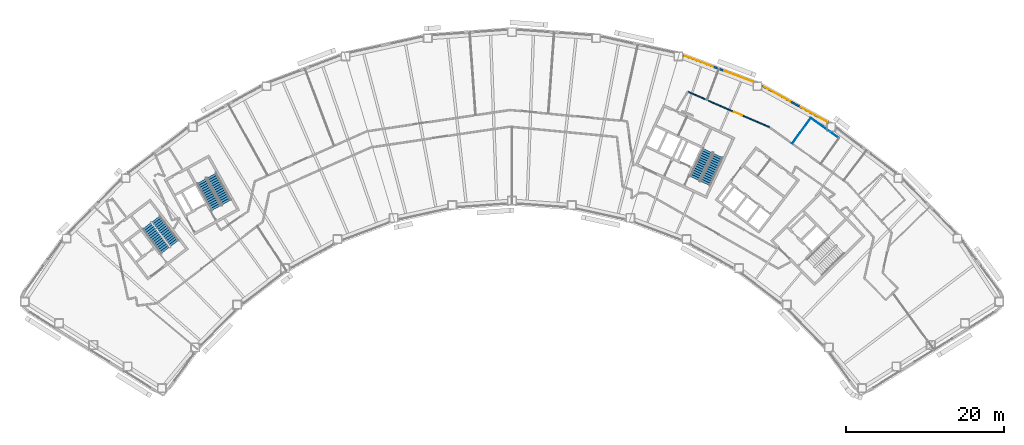
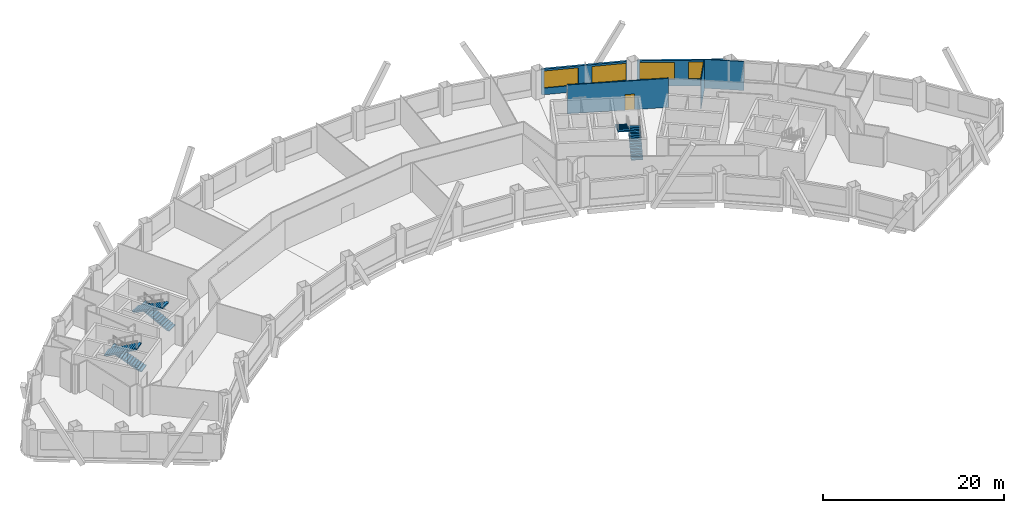
# One storey, part 8 of 11: 6 stair flights, 5 walls, 4 windows, 1 door, 5 openings, 3 elements without a shape of their own.
"""IFC4 building model written with IfcOpenShell, lengths in metres."""

from ifc_helpers import new_model, si_unit, direction, frame, frame_2d, origin, place, context, subcontext, project, spatial, polyline, rectangle, outline, extrude, material, layer, layer_set, type_object, element, fill, aggregate, save


model = new_model("IFC4")

# Units and contexts
model_context = context("Model", 3, precision=1e-05, world=origin(), true_north=direction((0.0, 1.0)))
body_context = subcontext(model_context, "Body", "Model", "MODEL_VIEW")
ifc_project = project(units=[si_unit("LENGTHUNIT", "METRE"), si_unit("AREAUNIT", "SQUARE_METRE"), si_unit("VOLUMEUNIT", "CUBIC_METRE"), si_unit("PLANEANGLEUNIT", "RADIAN"), si_unit("MASSUNIT", "GRAM", prefix="KILO")], contexts=[model_context])

# Site, building, storey
site_placement = place(None, origin())
site = spatial("IfcSite", under=ifc_project, at=site_placement, CompositionType="ELEMENT")
building_placement = place(site_placement, origin())
building = spatial("IfcBuilding", under=site, at=building_placement, Name="Tuul Gate Civic Tower", CompositionType="ELEMENT")
storey_placement = place(building_placement, frame((0.0, 0.0, 107.699951171875)))
storey = spatial("IfcBuildingStorey", under=building, at=storey_placement, Name="Level 24", CompositionType="ELEMENT", Elevation=107.699951171875)

# Wall, opening, door
ifc_material_1 = material(Name="Gypsum board partition")
ifc_layer_1 = layer(ifc_material_1, 0.14990234375)
ifc_layer_set_1 = layer_set([ifc_layer_1], Name="Gypsum board partition")
wall_type_1 = type_object("IfcWallType", Name="Corridor wall P150", PredefinedType="PARTITIONING", material=ifc_layer_set_1)
wall_1_placement = place(storey_placement, frame((32.088134765625, 6.127197265625, 0.0), z_axis=(0.0, 0.0, 1.0), x_axis=(0.916937971515, -0.399029768807, 0.0)))
wall_1 = element("IfcWall", 1, at=wall_1_placement, inside=storey, type_object=wall_type_1, Name="p015", PredefinedType="PARTITIONING", context=body_context, shape_type="SweptSolid", body=[
    extrude(rectangle(XDim=11.229736328125, YDim=0.14990234375, at=frame_2d((5.61474609375, 0.0))), origin(), (0.0, 0.0, 1.0), 3.900146484375),
])
opening_1_placement = place(wall_1_placement, frame((6.373291015625, 0.0, 0.0)))
opening_1 = element("IfcOpeningElement", 2, at=opening_1_placement, cuts=wall_1, Name="Opening H-D16", PredefinedType="OPENING", context=body_context, shape_type="SweptSolid", body=[
    extrude(rectangle(XDim=1.10009765625, YDim=2.10009765625, at=frame_2d((0.550048828125, 1.050048828125))), frame((0.0, 0.0849609375, 0.0), z_axis=(0.0, -1.0, 0.0), x_axis=(1.0, 0.0, 0.0)), (0.0, 0.0, 1.0), 0.169921875),
])
ifc_material_2 = material(Name="Timber door leaf", Category="wood")
door_type = type_object("IfcDoorType", Name="Door D11", OperationType="NOTDEFINED", PredefinedType="DOOR", material=ifc_material_2)
door_placement = place(opening_1_placement, origin())
door = element("IfcDoor", 3, at=door_placement, inside=storey, type_object=door_type, Name="Door H-D16", OperationType="SINGLE_SWING_RIGHT", OverallHeight=2.10009765625, OverallWidth=1.10009765625, PredefinedType="DOOR", context=body_context, shape_type="SweptSolid", body=[
    extrude(rectangle(XDim=1.10009765625, YDim=2.10009765625, at=frame_2d((0.550048828125, 1.050048828125))), frame((0.0, 0.02490234375, 0.0), z_axis=(0.0, -1.0, 0.0), x_axis=(1.0, 0.0, 0.0)), (0.0, 0.0, 1.0), 0.050048828125),
])
fill(opening_1, door)

# Wall, openings, windows
ifc_material_3 = material(Name="Precast concrete C40/50", Category="concrete")
ifc_layer_2 = layer(ifc_material_3, 0.25)
ifc_layer_set_2 = layer_set([ifc_layer_2], Name="Precast concrete C40/50")
wall_type_2 = type_object("IfcWallType", Name="External wall", PredefinedType="STANDARD", material=ifc_layer_set_2)
wall_2_placement = place(storey_placement, frame((49.909912109375, 2.214111328125, 0.0), z_axis=(0.0, 0.0, 1.0), x_axis=(-0.874635083582, 0.484781879372, 0.0)))
wall_2 = element("IfcWall", 4, at=wall_2_placement, inside=storey, type_object=wall_type_2, Name="External wall", PredefinedType="STANDARD", context=body_context, shape_type="SweptSolid", body=[
    extrude(rectangle(XDim=9.680419921875, YDim=0.25, at=frame_2d((4.84033203125, 0.0))), origin(), (0.0, 0.0, 1.0), 3.449951171875),
])
opening_2_placement = place(wall_2_placement, frame((0.180419921875, 0.0, 0.89990234375)))
opening_2 = element("IfcOpeningElement", 5, at=opening_2_placement, cuts=wall_2, Name="Opening W22", PredefinedType="OPENING", context=body_context, shape_type="SweptSolid", body=[
    extrude(rectangle(XDim=3.85009765625, YDim=2.300048828125, at=frame_2d((1.925048828125, 1.14990234375))), frame((0.0, 0.135009765625, 0.0), z_axis=(0.0, -1.0, 0.0), x_axis=(1.0, 0.0, 0.0)), (0.0, 0.0, 1.0), 0.27001953125),
])
opening_3_placement = place(wall_2_placement, frame((5.5517578125, 0.0, 0.89990234375)))
opening_3 = element("IfcOpeningElement", 6, at=opening_3_placement, cuts=wall_2, Name="Opening W22", PredefinedType="OPENING", context=body_context, shape_type="SweptSolid", body=[
    extrude(rectangle(XDim=3.85009765625, YDim=2.300048828125, at=frame_2d((1.925048828125, 1.14990234375))), frame((0.0, 0.135009765625, 0.0), z_axis=(0.0, -1.0, 0.0), x_axis=(1.0, 0.0, 0.0)), (0.0, 0.0, 1.0), 0.27001953125),
])
ifc_material_4 = material(Name="Glass", Category="glass")
window_type = type_object("IfcWindowType", Name="Window W22 3850 x 2300", PartitioningType="SINGLE_PANEL", PredefinedType="WINDOW", material=ifc_material_4)
window_1_placement = place(opening_2_placement, origin())
window_1 = element("IfcWindow", 7, at=window_1_placement, inside=storey, type_object=window_type, Name="Window", OverallHeight=2.300048828125, OverallWidth=3.85009765625, PartitioningType="SINGLE_PANEL", PredefinedType="WINDOW", context=body_context, shape_type="SweptSolid", body=[
    extrude(rectangle(XDim=3.85009765625, YDim=2.300048828125, at=frame_2d((1.925048828125, 1.14990234375))), frame((0.0, 0.030029296875, 0.0), z_axis=(0.0, -1.0, 0.0), x_axis=(1.0, 0.0, 0.0)), (0.0, 0.0, 1.0), 0.06005859375),
])
fill(opening_2, window_1)
window_2_placement = place(opening_3_placement, origin())
window_2 = element("IfcWindow", 8, at=window_2_placement, inside=storey, type_object=window_type, Name="Window", OverallHeight=2.300048828125, OverallWidth=3.85009765625, PartitioningType="SINGLE_PANEL", PredefinedType="WINDOW", context=body_context, shape_type="SweptSolid", body=[
    extrude(rectangle(XDim=3.85009765625, YDim=2.300048828125, at=frame_2d((1.925048828125, 1.14990234375))), frame((0.0, 0.030029296875, 0.0), z_axis=(0.0, -1.0, 0.0), x_axis=(1.0, 0.0, 0.0)), (0.0, 0.0, 1.0), 0.06005859375),
])
fill(opening_3, window_2)

wall_3_placement = place(storey_placement, frame((40.358154296875, 7.389892578125, 0.0), z_axis=(0.0, 0.0, 1.0), x_axis=(-0.935373880855, 0.353660434618, 0.0)))
wall_3 = element("IfcWall", 9, at=wall_3_placement, inside=storey, type_object=wall_type_2, Name="External wall", PredefinedType="STANDARD", context=body_context, shape_type="SweptSolid", body=[
    extrude(rectangle(XDim=9.518310546875, YDim=0.25, at=frame_2d((4.75927734375, 0.0))), origin(), (0.0, 0.0, 1.0), 3.449951171875),
])
opening_4_placement = place(wall_3_placement, frame((0.0341796875, 0.0, 0.89990234375)))
opening_4 = element("IfcOpeningElement", 10, at=opening_4_placement, cuts=wall_3, Name="Opening W22", PredefinedType="OPENING", context=body_context, shape_type="SweptSolid", body=[
    extrude(rectangle(XDim=3.85009765625, YDim=2.300048828125, at=frame_2d((1.925048828125, 1.14990234375))), frame((0.0, 0.135009765625, 0.0), z_axis=(0.0, -1.0, 0.0), x_axis=(1.0, 0.0, 0.0)), (0.0, 0.0, 1.0), 0.27001953125),
])
opening_5_placement = place(wall_3_placement, frame((5.4052734375, 0.0, 0.89990234375)))
opening_5 = element("IfcOpeningElement", 11, at=opening_5_placement, cuts=wall_3, Name="Opening W22", PredefinedType="OPENING", context=body_context, shape_type="SweptSolid", body=[
    extrude(rectangle(XDim=3.85009765625, YDim=2.300048828125, at=frame_2d((1.925048828125, 1.14990234375))), frame((0.0, 0.135009765625, 0.0), z_axis=(0.0, -1.0, 0.0), x_axis=(1.0, 0.0, 0.0)), (0.0, 0.0, 1.0), 0.27001953125),
])
window_3_placement = place(opening_4_placement, origin())
window_3 = element("IfcWindow", 12, at=window_3_placement, inside=storey, type_object=window_type, Name="Window", OverallHeight=2.300048828125, OverallWidth=3.85009765625, PartitioningType="SINGLE_PANEL", PredefinedType="WINDOW", context=body_context, shape_type="SweptSolid", body=[
    extrude(rectangle(XDim=3.85009765625, YDim=2.300048828125, at=frame_2d((1.925048828125, 1.14990234375))), frame((0.0, 0.030029296875, 0.0), z_axis=(0.0, -1.0, 0.0), x_axis=(1.0, 0.0, 0.0)), (0.0, 0.0, 1.0), 0.06005859375),
])
fill(opening_4, window_3)
window_4_placement = place(opening_5_placement, origin())
window_4 = element("IfcWindow", 13, at=window_4_placement, inside=storey, type_object=window_type, Name="Window", OverallHeight=2.300048828125, OverallWidth=3.85009765625, PartitioningType="SINGLE_PANEL", PredefinedType="WINDOW", context=body_context, shape_type="SweptSolid", body=[
    extrude(rectangle(XDim=3.85009765625, YDim=2.300048828125, at=frame_2d((1.925048828125, 1.14990234375))), frame((0.0, 0.030029296875, 0.0), z_axis=(0.0, -1.0, 0.0), x_axis=(1.0, 0.0, 0.0)), (0.0, 0.0, 1.0), 0.06005859375),
])
fill(opening_5, window_4)

# Walls
ifc_material_5 = material(Name="Gypsum board partition")
ifc_layer_3 = layer(ifc_material_5, 0.10009765625)
ifc_layer_set_3 = layer_set([ifc_layer_3], Name="Gypsum board partition")
wall_type_3 = type_object("IfcWallType", Name="Partition P100", PredefinedType="PARTITIONING", material=ifc_layer_set_3)
wall_4_placement = place(storey_placement, frame((45.294677734375, -0.435546875, 0.0), z_axis=(0.0, 0.0, 1.0), x_axis=(0.581865781351, 0.813284828638, 0.0)))
element("IfcWall", 14, at=wall_4_placement, inside=storey, type_object=wall_type_3, Name="p011", PredefinedType="PARTITIONING", context=body_context, shape_type="SweptSolid", body=[
    extrude(rectangle(XDim=4.010009765625, YDim=0.10009765625, at=frame_2d((2.0048828125, 0.0))), origin(), (0.0, 0.0, 1.0), 3.900146484375),
])
wall_5_placement = place(storey_placement, frame((47.6279296875, 2.82568359375, 0.0), z_axis=(0.0, 0.0, 1.0), x_axis=(0.813266704996, -0.581891112275, 0.0)))
element("IfcWall", 15, at=wall_5_placement, inside=storey, type_object=wall_type_3, Name="p012", PredefinedType="PARTITIONING", context=body_context, shape_type="SweptSolid", body=[
    extrude(rectangle(XDim=4.420166015625, YDim=0.10009765625, at=frame_2d((2.2099609375, 0.0))), origin(), (0.0, 0.0, 1.0), 3.900146484375),
])

# Stair, stair flights
ifc_material_6 = material(Name="Concrete C40/50", Category="concrete")
stair_type = type_object("IfcStairType", Name="Exit stair", PredefinedType="HALF_TURN_STAIR", material=ifc_material_6)
stair_1_placement = place(storey_placement, origin())
stair_1 = element("IfcStair", 16, at=stair_1_placement, inside=storey, type_object=stair_type, Name="Level 24 ST-1", PredefinedType="HALF_TURN_STAIR")
ifc_material_7 = material(Name="Concrete C40/50", Category="concrete")
stair_flight_type = type_object("IfcStairFlightType", Name="Exit stair flight", PredefinedType="STRAIGHT", material=ifc_material_7)
stair_flight_1_placement = place(storey_placement, frame((-32.875244140625, -13.066650390625, 0.0), z_axis=(0.0, 0.0, 1.0), x_axis=(-0.605764474941, 0.795644016442, 0.0)))
stair_flight_1 = element("IfcStairFlight", 17, at=stair_flight_1_placement, type_object=stair_flight_type, Name="ST-1 flight 1", NumberOfRisers=14, NumberOfTreads=13, PredefinedType="STRAIGHT", RiserHeight=0.15, TreadLength=0.3, context=body_context, shape_type="SweptSolid", body=[
    extrude(outline(polyline([(0.0, 0.0), (0.0, 0.14990234375), (0.300048828125, 0.14990234375), (0.300048828125, 0.300048828125), (0.60009765625, 0.300048828125), (0.60009765625, 0.449951171875), (0.89990234375, 0.449951171875), (0.89990234375, 0.60009765625), (1.199951171875, 0.60009765625), (1.199951171875, 0.75), (1.5, 0.75), (1.5, 0.89990234375), (1.800048828125, 0.89990234375), (1.800048828125, 1.050048828125), (2.10009765625, 1.050048828125), (2.10009765625, 1.199951171875), (2.39990234375, 1.199951171875), (2.39990234375, 1.35009765625), (2.699951171875, 1.35009765625), (2.699951171875, 1.5), (3.0, 1.5), (3.0, 1.64990234375), (3.300048828125, 1.64990234375), (3.300048828125, 1.800048828125), (3.60009765625, 1.800048828125), (3.60009765625, 1.949951171875), (3.89990234375, 1.949951171875), (3.89990234375, 2.10009765625), (3.89990234375, 1.782470703125), (0.335205078125, 0.0), (0.0, 0.0)])), frame((0.0, 0.675048828125, 0.0), z_axis=(0.0, -1.0, 0.0), x_axis=(1.0, 0.0, 0.0)), (0.0, 0.0, 1.0), 1.35009765625),
])
stair_flight_2_placement = place(storey_placement, frame((-36.391357421875, -10.842041015625, 2.10009765625), z_axis=(0.0, 0.0, 1.0), x_axis=(0.605764474941, -0.795644016442, 0.0)))
stair_flight_2 = element("IfcStairFlight", 18, at=stair_flight_2_placement, type_object=stair_flight_type, Name="ST-1 flight 2", NumberOfRisers=14, NumberOfTreads=13, PredefinedType="STRAIGHT", RiserHeight=0.15, TreadLength=0.3, context=body_context, shape_type="SweptSolid", body=[
    extrude(outline(polyline([(0.0, 0.0), (0.0, 0.14990234375), (0.300048828125, 0.14990234375), (0.300048828125, 0.300048828125), (0.60009765625, 0.300048828125), (0.60009765625, 0.449951171875), (0.89990234375, 0.449951171875), (0.89990234375, 0.60009765625), (1.199951171875, 0.60009765625), (1.199951171875, 0.75), (1.5, 0.75), (1.5, 0.89990234375), (1.800048828125, 0.89990234375), (1.800048828125, 1.050048828125), (2.10009765625, 1.050048828125), (2.10009765625, 1.199951171875), (2.39990234375, 1.199951171875), (2.39990234375, 1.35009765625), (2.699951171875, 1.35009765625), (2.699951171875, 1.5), (3.0, 1.5), (3.0, 1.64990234375), (3.300048828125, 1.64990234375), (3.300048828125, 1.800048828125), (3.60009765625, 1.800048828125), (3.60009765625, 1.949951171875), (3.89990234375, 1.949951171875), (3.89990234375, 2.10009765625), (3.89990234375, 1.782470703125), (0.335205078125, 0.0), (0.0, 0.0)])), frame((0.0, 0.675048828125, 0.0), z_axis=(0.0, -1.0, 0.0), x_axis=(1.0, 0.0, 0.0)), (0.0, 0.0, 1.0), 1.35009765625),
])
aggregate(stair_1, [stair_flight_1, stair_flight_2])

stair_2_placement = place(storey_placement, origin())
stair_2 = element("IfcStair", 19, at=stair_2_placement, inside=storey, type_object=stair_type, Name="Level 24 ST-2", PredefinedType="HALF_TURN_STAIR")
stair_flight_3_placement = place(storey_placement, frame((-26.29150390625, -7.87646484375, 0.0), z_axis=(0.0, 0.0, 1.0), x_axis=(-0.484761763766, 0.874646232708, 0.0)))
stair_flight_3 = element("IfcStairFlight", 20, at=stair_flight_3_placement, type_object=stair_flight_type, Name="ST-2 flight 1", NumberOfRisers=14, NumberOfTreads=13, PredefinedType="STRAIGHT", RiserHeight=0.15, TreadLength=0.3, context=body_context, shape_type="SweptSolid", body=[
    extrude(outline(polyline([(0.0, 0.0), (0.0, 0.14990234375), (0.300048828125, 0.14990234375), (0.300048828125, 0.300048828125), (0.60009765625, 0.300048828125), (0.60009765625, 0.449951171875), (0.89990234375, 0.449951171875), (0.89990234375, 0.60009765625), (1.199951171875, 0.60009765625), (1.199951171875, 0.75), (1.5, 0.75), (1.5, 0.89990234375), (1.800048828125, 0.89990234375), (1.800048828125, 1.050048828125), (2.10009765625, 1.050048828125), (2.10009765625, 1.199951171875), (2.39990234375, 1.199951171875), (2.39990234375, 1.35009765625), (2.699951171875, 1.35009765625), (2.699951171875, 1.5), (3.0, 1.5), (3.0, 1.64990234375), (3.300048828125, 1.64990234375), (3.300048828125, 1.800048828125), (3.60009765625, 1.800048828125), (3.60009765625, 1.949951171875), (3.89990234375, 1.949951171875), (3.89990234375, 2.10009765625), (3.89990234375, 1.782470703125), (0.335205078125, 0.0), (0.0, 0.0)])), frame((0.0, 0.675048828125, 0.0), z_axis=(0.0, -1.0, 0.0), x_axis=(1.0, 0.0, 0.0)), (0.0, 0.0, 1.0), 1.35009765625),
])
stair_flight_4_placement = place(storey_placement, frame((-29.450439453125, -5.168212890625, 2.10009765625), z_axis=(0.0, 0.0, 1.0), x_axis=(0.484761763766, -0.874646232708, 0.0)))
stair_flight_4 = element("IfcStairFlight", 21, at=stair_flight_4_placement, type_object=stair_flight_type, Name="ST-2 flight 2", NumberOfRisers=14, NumberOfTreads=13, PredefinedType="STRAIGHT", RiserHeight=0.15, TreadLength=0.3, context=body_context, shape_type="SweptSolid", body=[
    extrude(outline(polyline([(0.0, 0.0), (0.0, 0.14990234375), (0.300048828125, 0.14990234375), (0.300048828125, 0.300048828125), (0.60009765625, 0.300048828125), (0.60009765625, 0.449951171875), (0.89990234375, 0.449951171875), (0.89990234375, 0.60009765625), (1.199951171875, 0.60009765625), (1.199951171875, 0.75), (1.5, 0.75), (1.5, 0.89990234375), (1.800048828125, 0.89990234375), (1.800048828125, 1.050048828125), (2.10009765625, 1.050048828125), (2.10009765625, 1.199951171875), (2.39990234375, 1.199951171875), (2.39990234375, 1.35009765625), (2.699951171875, 1.35009765625), (2.699951171875, 1.5), (3.0, 1.5), (3.0, 1.64990234375), (3.300048828125, 1.64990234375), (3.300048828125, 1.800048828125), (3.60009765625, 1.800048828125), (3.60009765625, 1.949951171875), (3.89990234375, 1.949951171875), (3.89990234375, 2.10009765625), (3.89990234375, 1.782470703125), (0.335205078125, 0.0), (0.0, 0.0)])), frame((0.0, 0.675048828125, 0.0), z_axis=(0.0, -1.0, 0.0), x_axis=(1.0, 0.0, 0.0)), (0.0, 0.0, 1.0), 1.35009765625),
])
aggregate(stair_2, [stair_flight_3, stair_flight_4])

stair_3_placement = place(storey_placement, origin())
stair_3 = element("IfcStair", 22, at=stair_3_placement, inside=storey, type_object=stair_type, Name="Level 24 ST-4", PredefinedType="HALF_TURN_STAIR")
stair_flight_5_placement = place(storey_placement, frame((34.278564453125, -5.478515625, 0.0), z_axis=(0.0, 0.0, 1.0), x_axis=(0.422576295988, 0.906327354806, 0.0)))
stair_flight_5 = element("IfcStairFlight", 23, at=stair_flight_5_placement, type_object=stair_flight_type, Name="ST-4 flight 1", NumberOfRisers=14, NumberOfTreads=13, PredefinedType="STRAIGHT", RiserHeight=0.15, TreadLength=0.3, context=body_context, shape_type="SweptSolid", body=[
    extrude(outline(polyline([(0.0, 0.0), (0.0, 0.14990234375), (0.300048828125, 0.14990234375), (0.300048828125, 0.300048828125), (0.60009765625, 0.300048828125), (0.60009765625, 0.449951171875), (0.89990234375, 0.449951171875), (0.89990234375, 0.60009765625), (1.199951171875, 0.60009765625), (1.199951171875, 0.75), (1.5, 0.75), (1.5, 0.89990234375), (1.800048828125, 0.89990234375), (1.800048828125, 1.050048828125), (2.10009765625, 1.050048828125), (2.10009765625, 1.199951171875), (2.39990234375, 1.199951171875), (2.39990234375, 1.35009765625), (2.699951171875, 1.35009765625), (2.699951171875, 1.5), (3.0, 1.5), (3.0, 1.64990234375), (3.300048828125, 1.64990234375), (3.300048828125, 1.800048828125), (3.60009765625, 1.800048828125), (3.60009765625, 1.949951171875), (3.89990234375, 1.949951171875), (3.89990234375, 2.10009765625), (3.89990234375, 1.782470703125), (0.335205078125, 0.0), (0.0, 0.0)])), frame((0.0, 0.675048828125, 0.0), z_axis=(0.0, -1.0, 0.0), x_axis=(1.0, 0.0, 0.0)), (0.0, 0.0, 1.0), 1.35009765625),
])
stair_flight_6_placement = place(storey_placement, frame((34.612548828125, -1.3310546875, 2.10009765625), z_axis=(0.0, 0.0, 1.0), x_axis=(-0.422576295988, -0.906327354806, 0.0)))
stair_flight_6 = element("IfcStairFlight", 24, at=stair_flight_6_placement, type_object=stair_flight_type, Name="ST-4 flight 2", NumberOfRisers=14, NumberOfTreads=13, PredefinedType="STRAIGHT", RiserHeight=0.15, TreadLength=0.3, context=body_context, shape_type="SweptSolid", body=[
    extrude(outline(polyline([(0.0, 0.0), (0.0, 0.14990234375), (0.300048828125, 0.14990234375), (0.300048828125, 0.300048828125), (0.60009765625, 0.300048828125), (0.60009765625, 0.449951171875), (0.89990234375, 0.449951171875), (0.89990234375, 0.60009765625), (1.199951171875, 0.60009765625), (1.199951171875, 0.75), (1.5, 0.75), (1.5, 0.89990234375), (1.800048828125, 0.89990234375), (1.800048828125, 1.050048828125), (2.10009765625, 1.050048828125), (2.10009765625, 1.199951171875), (2.39990234375, 1.199951171875), (2.39990234375, 1.35009765625), (2.699951171875, 1.35009765625), (2.699951171875, 1.5), (3.0, 1.5), (3.0, 1.64990234375), (3.300048828125, 1.64990234375), (3.300048828125, 1.800048828125), (3.60009765625, 1.800048828125), (3.60009765625, 1.949951171875), (3.89990234375, 1.949951171875), (3.89990234375, 2.10009765625), (3.89990234375, 1.782470703125), (0.335205078125, 0.0), (0.0, 0.0)])), frame((0.0, 0.675048828125, 0.0), z_axis=(0.0, -1.0, 0.0), x_axis=(1.0, 0.0, 0.0)), (0.0, 0.0, 1.0), 1.35009765625),
])
aggregate(stair_3, [stair_flight_5, stair_flight_6])

save(model, "model.ifc")
